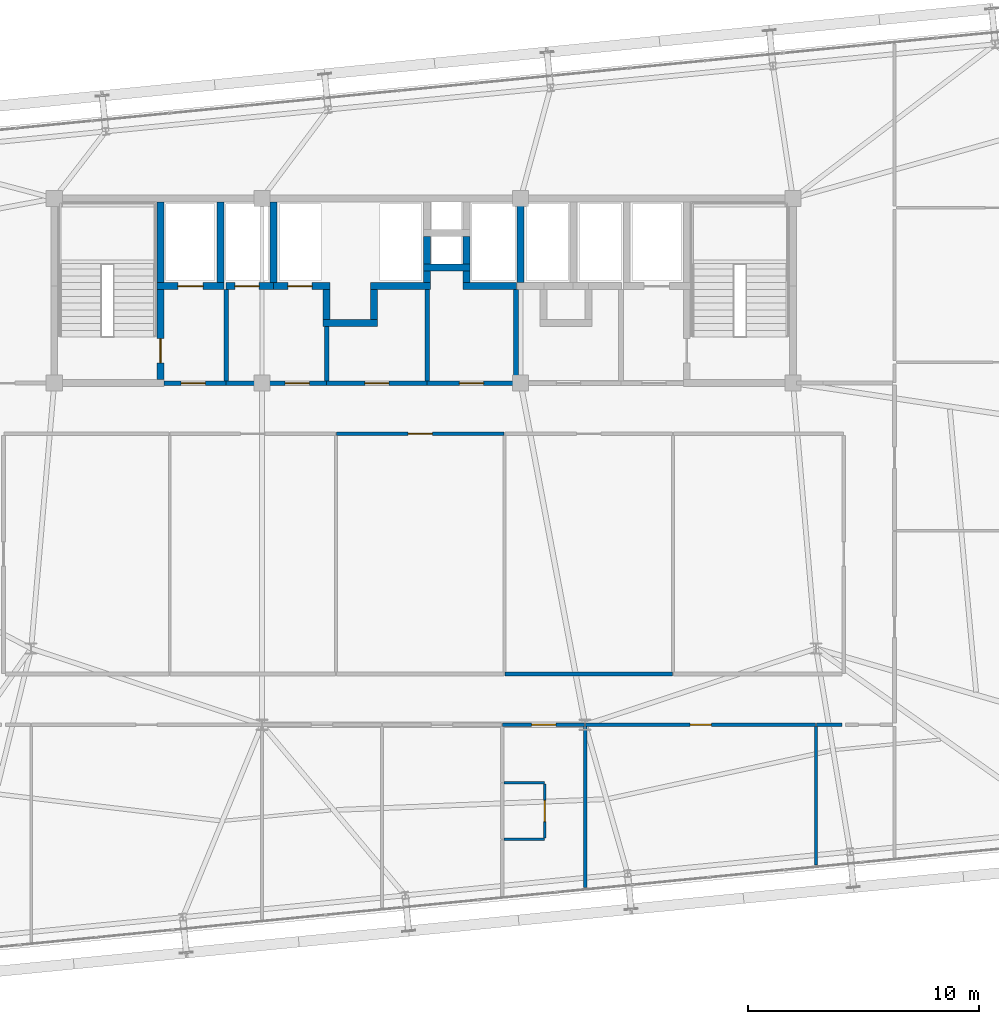
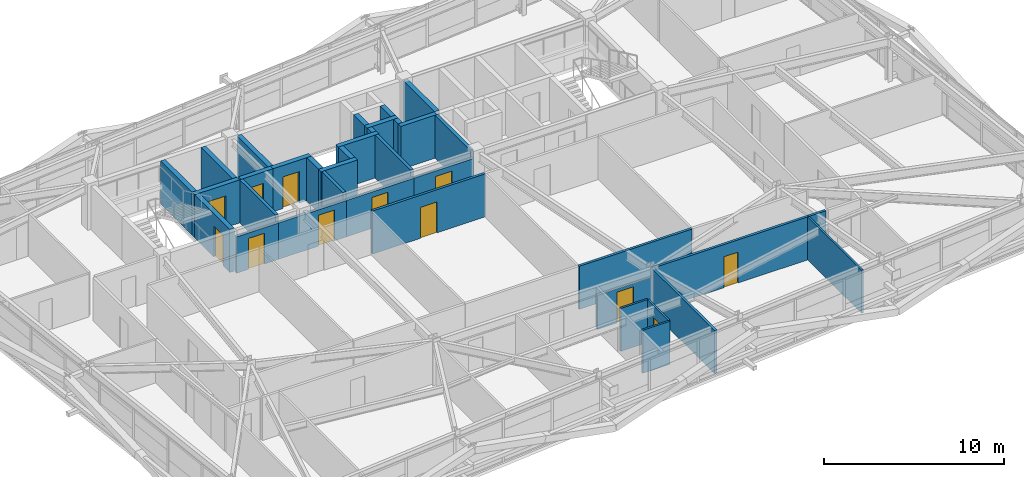
# One storey, part 47 of 52: 36 walls, 12 doors, 12 openings.
"""IFC4 building model written with IfcOpenShell, lengths in metres."""

from ifc_helpers import new_model, si_unit, direction, frame, frame_2d, origin, place, context, subcontext, project, spatial, rectangle, extrude, source, transform, mapped, material, layer, layer_set, type_object, element, fill, save


model = new_model("IFC4")

# Units and contexts
model_context = context("Model", 3, precision=1e-05, world=origin(), true_north=direction((0.0, 1.0)))
body_context = subcontext(model_context, "Body", "Model", "MODEL_VIEW")
ifc_project = project(units=[si_unit("LENGTHUNIT", "METRE"), si_unit("AREAUNIT", "SQUARE_METRE"), si_unit("VOLUMEUNIT", "CUBIC_METRE"), si_unit("PLANEANGLEUNIT", "RADIAN"), si_unit("MASSUNIT", "GRAM", prefix="KILO")], contexts=[model_context])

# Site, building, storey
site_placement = place(None, origin())
site = spatial("IfcSite", under=ifc_project, at=site_placement, CompositionType="ELEMENT")
building_placement = place(site_placement, origin())
building = spatial("IfcBuilding", under=site, at=building_placement, Name="Taldren Reach Tower", CompositionType="ELEMENT")
storey_placement = place(building_placement, frame((0.0, 0.0, 93.449951171875)))
storey = spatial("IfcBuildingStorey", under=building, at=storey_placement, Name="L28", CompositionType="ELEMENT", Elevation=93.449951171875)

# Wall, opening, door
ifc_material_1 = material(Name="Concrete S50 (50 MPa)", Category="concrete")
ifc_layer_1 = layer(ifc_material_1, 0.199951171875)
ifc_layer_set_1 = layer_set([ifc_layer_1], Name="Concrete S50 (50 MPa)")
wall_type_1 = type_object("IfcWallType", Name="IW-CORE-200", PredefinedType="SOLIDWALL", material=ifc_layer_set_1)
shared_shape_1 = source(origin(), body_context, "Body", "SweptSolid", [
    extrude(rectangle(XDim=4.35009765625, YDim=0.199951171875, at=frame_2d((2.175048828125, 0.0))), origin(), (0.0, 0.0, 1.0), 2.469970703125),
])
wall_1_placement = place(storey_placement, frame((30.800048828125, 24.0, 0.0), z_axis=(0.0, 0.0, 1.0), x_axis=(-1.0, 0.0, 0.0)))
wall_1 = element("IfcWall", 1, at=wall_1_placement, inside=storey, type_object=wall_type_1, Name="Rear Core Shear Wall W-INT-L28-033", PredefinedType="SOLIDWALL", context=body_context, shape_type="MappedRepresentation", body=[
    mapped(shared_shape_1, transform((0.0, 0.0, 0.0), scale=1.0)),
])
shared_shape_2 = source(origin(), body_context, "Body", "SweptSolid", [
    extrude(rectangle(XDim=1.050048828125, YDim=2.10009765625, at=frame_2d((0.52490234375, 1.050048828125))), frame((0.0, 0.10986328125, 0.0), z_axis=(0.0, -1.0, 0.0), x_axis=(1.0, 0.0, 0.0)), (0.0, 0.0, 1.0), 0.219970703125),
])
opening_1_placement = place(wall_1_placement, frame((0.75, 0.0, 0.0)))
opening_1 = element("IfcOpeningElement", 2, at=opening_1_placement, cuts=wall_1, Name="Opening DF-105", PredefinedType="OPENING", context=body_context, shape_type="MappedRepresentation", body=[
    mapped(shared_shape_2, transform((0.0, 0.0, 0.0), scale=1.0)),
])
ifc_material_2 = material(Name="Fire-Rated Care and Stair Exit Door")
door_type_1 = type_object("IfcDoorType", Name="ID-FIRE-105", OperationType="NOTDEFINED", PredefinedType="DOOR", material=ifc_material_2)
shared_shape_3 = source(origin(), body_context, "Body", "SweptSolid", [
    extrude(rectangle(XDim=1.050048828125, YDim=2.10009765625, at=frame_2d((0.52490234375, 1.050048828125))), frame((0.0, 0.02490234375, 0.0), z_axis=(0.0, -1.0, 0.0), x_axis=(1.0, 0.0, 0.0)), (0.0, 0.0, 1.0), 0.050048828125),
])
door_1_placement = place(opening_1_placement, frame((1.050048828125, 0.0, 0.0), z_axis=(0.0, 0.0, 1.0), x_axis=(-1.0, 0.0, 0.0)))
door_1 = element("IfcDoor", 3, at=door_1_placement, inside=storey, type_object=door_type_1, Name="Interior Door DR-L28-005", OperationType="SINGLE_SWING_RIGHT", OverallHeight=2.10009765625, OverallWidth=1.050048828125, PredefinedType="DOOR", context=body_context, shape_type="MappedRepresentation", body=[
    mapped(shared_shape_3, transform((0.0, 0.0, 0.0), scale=1.0)),
])
fill(opening_1, door_1)

shared_shape_4 = source(origin(), body_context, "Body", "SweptSolid", [
    extrude(rectangle(XDim=4.349853515625, YDim=0.199951171875, at=frame_2d((2.1748046875, 0.0))), origin(), (0.0, 0.0, 1.0), 2.469970703125),
])
wall_2_placement = place(storey_placement, frame((35.14990234375, 24.0, 0.0), z_axis=(0.0, 0.0, 1.0), x_axis=(-1.0, 0.0, 0.0)))
wall_2 = element("IfcWall", 4, at=wall_2_placement, inside=storey, type_object=wall_type_1, Name="Rear Core Shear Wall W-INT-L28-043", PredefinedType="SOLIDWALL", context=body_context, shape_type="MappedRepresentation", body=[
    mapped(shared_shape_4, transform((0.0, 0.0, 0.0), scale=1.0)),
])
opening_2_placement = place(wall_2_placement, frame((1.64990234375, 0.0, 0.0)))
opening_2 = element("IfcOpeningElement", 5, at=opening_2_placement, cuts=wall_2, Name="Opening DF-105", PredefinedType="OPENING", context=body_context, shape_type="MappedRepresentation", body=[
    mapped(shared_shape_2, transform((0.0, 0.0, 0.0), scale=1.0)),
])
door_2_placement = place(opening_2_placement, frame((1.050048828125, 0.0, 0.0), z_axis=(0.0, 0.0, 1.0), x_axis=(-1.0, 0.0, 0.0)))
door_2 = element("IfcDoor", 6, at=door_2_placement, inside=storey, type_object=door_type_1, Name="Interior Door DR-L28-006", OperationType="SINGLE_SWING_RIGHT", OverallHeight=2.10009765625, OverallWidth=1.050048828125, PredefinedType="DOOR", context=body_context, shape_type="MappedRepresentation", body=[
    mapped(shared_shape_3, transform((0.0, 0.0, 0.0), scale=1.0)),
])
fill(opening_2, door_2)

shared_shape_5 = source(origin(), body_context, "Body", "SweptSolid", [
    extrude(rectangle(XDim=3.85009765625, YDim=0.199951171875, at=frame_2d((1.925048828125, 0.0))), origin(), (0.0, 0.0, 1.0), 2.469970703125),
])
wall_3_placement = place(storey_placement, frame((39.0, 24.0, 0.0), z_axis=(0.0, 0.0, 1.0), x_axis=(-1.0, 0.0, 0.0)))
wall_3 = element("IfcWall", 7, at=wall_3_placement, inside=storey, type_object=wall_type_1, Name="Rear Core Shear Wall W-INT-L28-045", PredefinedType="SOLIDWALL", context=body_context, shape_type="MappedRepresentation", body=[
    mapped(shared_shape_5, transform((0.0, 0.0, 0.0), scale=1.0)),
])
opening_3_placement = place(wall_3_placement, frame((1.39990234375, 0.0, 0.0)))
opening_3 = element("IfcOpeningElement", 8, at=opening_3_placement, cuts=wall_3, Name="Opening DF-105", PredefinedType="OPENING", context=body_context, shape_type="MappedRepresentation", body=[
    mapped(shared_shape_2, transform((0.0, 0.0, 0.0), scale=1.0)),
])
door_3_placement = place(opening_3_placement, frame((1.050048828125, 0.0, 0.0), z_axis=(0.0, 0.0, 1.0), x_axis=(-1.0, 0.0, 0.0)))
door_3 = element("IfcDoor", 9, at=door_3_placement, inside=storey, type_object=door_type_1, Name="Interior Door DR-L28-007", OperationType="SINGLE_SWING_LEFT", OverallHeight=2.10009765625, OverallWidth=1.050048828125, PredefinedType="DOOR", context=body_context, shape_type="MappedRepresentation", body=[
    mapped(shared_shape_3, transform((0.0, 0.0, 0.0), scale=1.0)),
])
fill(opening_3, door_3)

# Wall
ifc_material_3 = material(Name="Fire-Rated Acoustic Plasterboard Stud Wall", Category="gypsum")
ifc_layer_2 = layer(ifc_material_3, 0.159912109375)
ifc_layer_set_2 = layer_set([ifc_layer_2], Name="Fire-Rated Acoustic Plasterboard Stud Wall")
wall_type_2 = type_object("IfcWallType", Name="IW-FIRE-160", PredefinedType="PARTITIONING", material=ifc_layer_set_2)
shared_shape_6 = source(origin(), body_context, "Body", "SweptSolid", [
    extrude(rectangle(XDim=1.099853515625, YDim=0.159912109375, at=frame_2d((0.5498046875, 0.0))), origin(), (0.0, 0.0, 1.0), 2.929931640625),
])
wall_4_placement = place(storey_placement, frame((53.1201171875, 9.199951171875, 0.0), z_axis=(0.0, 0.0, 1.0), x_axis=(-1.0, 0.0, 0.0)))
element("IfcWall", 10, at=wall_4_placement, inside=storey, type_object=wall_type_2, Name="Interior Partition Wall W-INT-L28-073", PredefinedType="PARTITIONING", context=body_context, shape_type="MappedRepresentation", body=[
    mapped(shared_shape_6, transform((0.0, 0.0, 0.0), scale=1.0)),
])

# Wall, opening, door
ifc_material_4 = material(Name="Insulated Residential Stud Partition", Category="gypsum")
ifc_layer_3 = layer(ifc_material_4, 0.1201171875)
ifc_layer_set_3 = layer_set([ifc_layer_3], Name="Insulated Residential Stud Partition")
wall_type_3 = type_object("IfcWallType", Name="IW-PART-120", PredefinedType="PARTITIONING", material=ifc_layer_set_3)
shared_shape_7 = source(origin(), body_context, "Body", "SweptSolid", [
    extrude(rectangle(XDim=2.330078125, YDim=0.1201171875, at=frame_2d((1.1650390625, 0.0))), origin(), (0.0, 0.0, 1.0), 2.929931640625),
])
wall_5_placement = place(storey_placement, frame((40.25, 4.29833984375, 0.0), z_axis=(0.0, 0.0, 1.0), x_axis=(0.0, 1.0, 0.0)))
wall_5 = element("IfcWall", 11, at=wall_5_placement, inside=storey, type_object=wall_type_3, Name="Interior Partition Wall W-INT-L28-085", PredefinedType="PARTITIONING", context=body_context, shape_type="MappedRepresentation", body=[
    mapped(shared_shape_7, transform((0.0, 0.0, 0.0), scale=1.0)),
])
shared_shape_8 = source(origin(), body_context, "Body", "SweptSolid", [
    extrude(rectangle(XDim=0.919921875, YDim=2.10009765625, at=frame_2d((0.4599609375, 1.050048828125))), frame((0.0, 0.070068359375, 0.0), z_axis=(0.0, -1.0, 0.0), x_axis=(1.0, 0.0, 0.0)), (0.0, 0.0, 1.0), 0.14013671875),
])
opening_4_placement = place(wall_5_placement, frame((0.705078125, 0.0, 0.0)))
opening_4 = element("IfcOpeningElement", 12, at=opening_4_placement, cuts=wall_5, Name="Opening DI-092", PredefinedType="OPENING", context=body_context, shape_type="MappedRepresentation", body=[
    mapped(shared_shape_8, transform((0.0, 0.0, 0.0), scale=1.0)),
])
ifc_material_5 = material(Name="Solid-Core Timber Suite Door", Category="wood")
door_type_2 = type_object("IfcDoorType", Name="ID-INT-092", OperationType="NOTDEFINED", PredefinedType="DOOR", material=ifc_material_5)
shared_shape_9 = source(origin(), body_context, "Body", "SweptSolid", [
    extrude(rectangle(XDim=0.919921875, YDim=2.10009765625, at=frame_2d((0.4599609375, 1.050048828125))), frame((0.0, 0.02490234375, 0.0), z_axis=(0.0, -1.0, 0.0), x_axis=(1.0, 0.0, 0.0)), (0.0, 0.0, 1.0), 0.050048828125),
])
door_4_placement = place(opening_4_placement, origin())
door_4 = element("IfcDoor", 13, at=door_4_placement, inside=storey, type_object=door_type_2, Name="Interior Door DR-L28-026", OperationType="SINGLE_SWING_LEFT", OverallHeight=2.10009765625, OverallWidth=0.919921875, PredefinedType="DOOR", context=body_context, shape_type="MappedRepresentation", body=[
    mapped(shared_shape_9, transform((0.0, 0.0, 0.0), scale=1.0)),
])
fill(opening_4, door_4)

# Walls
shared_shape_10 = source(origin(), body_context, "Body", "SweptSolid", [
    extrude(rectangle(XDim=1.749755859375, YDim=0.1201171875, at=frame_2d((0.875, 0.0))), origin(), (0.0, 0.0, 1.0), 2.929931640625),
])
for number, where, z_axis, x_axis, name in (
    (14, (38.47998046875, 4.23828125, 0.0), (0.0, 0.0, 1.0), (1.0, 0.0, 0.0), "Interior Partition Wall W-INT-L28-086"),
    (15, (40.229736328125, 6.6884765625, 0.0), (0.0, 0.0, 1.0), (-1.0, 0.0, 0.0), "Interior Partition Wall W-INT-L28-087"),
):
    element("IfcWall", number, at=place(storey_placement, frame(where, z_axis=z_axis, x_axis=x_axis)), inside=storey, type_object=wall_type_3, Name=name, PredefinedType="PARTITIONING", context=body_context, shape_type="MappedRepresentation", body=[
        mapped(shared_shape_10, transform((0.0, 0.0, 0.0), scale=1.0)),
    ])

# Wall, opening, door
shared_shape_11 = source(origin(), body_context, "Body", "SweptSolid", [
    extrude(rectangle(XDim=9.95947265625, YDim=0.159912109375, at=frame_2d((4.979736328125, 0.0))), origin(), (0.0, 0.0, 1.0), 2.929931640625),
])
wall_6_placement = place(storey_placement, frame((51.979736328125, 9.199951171875, 0.0), z_axis=(0.0, 0.0, 1.0), x_axis=(-1.0, 0.0, 0.0)))
wall_6 = element("IfcWall", 16, at=wall_6_placement, inside=storey, type_object=wall_type_2, Name="Interior Partition Wall W-INT-L28-072", PredefinedType="PARTITIONING", context=body_context, shape_type="MappedRepresentation", body=[
    mapped(shared_shape_11, transform((0.0, 0.0, 0.0), scale=1.0)),
])
shared_shape_12 = source(origin(), body_context, "Body", "SweptSolid", [
    extrude(rectangle(XDim=0.919921875, YDim=2.10009765625, at=frame_2d((0.4599609375, 1.050048828125))), frame((0.0, 0.08984375, 0.0), z_axis=(0.0, -1.0, 0.0), x_axis=(1.0, 0.0, 0.0)), (0.0, 0.0, 1.0), 0.179931640625),
])
opening_5_placement = place(wall_6_placement, frame((4.519775390625, 0.0, 0.0)))
opening_5 = element("IfcOpeningElement", 17, at=opening_5_placement, cuts=wall_6, Name="Opening DI-092", PredefinedType="OPENING", context=body_context, shape_type="MappedRepresentation", body=[
    mapped(shared_shape_12, transform((0.0, 0.0, 0.0), scale=1.0)),
])
door_5_placement = place(opening_5_placement, origin())
door_5 = element("IfcDoor", 18, at=door_5_placement, inside=storey, type_object=door_type_2, Name="Interior Door DR-L28-025", OperationType="SINGLE_SWING_RIGHT", OverallHeight=2.10009765625, OverallWidth=0.919921875, PredefinedType="DOOR", context=body_context, shape_type="MappedRepresentation", body=[
    mapped(shared_shape_9, transform((0.0, 0.0, 0.0), scale=1.0)),
])
fill(opening_5, door_5)

shared_shape_13 = source(origin(), body_context, "Body", "SweptSolid", [
    extrude(rectangle(XDim=7.259521484375, YDim=0.159912109375, at=frame_2d((3.6298828125, 0.0))), origin(), (0.0, 0.0, 1.0), 2.929931640625),
])
wall_7_placement = place(storey_placement, frame((38.479736328125, 21.800048828125, 0.0), z_axis=(0.0, 0.0, 1.0), x_axis=(-1.0, 0.0, 0.0)))
wall_7 = element("IfcWall", 19, at=wall_7_placement, inside=storey, type_object=wall_type_2, Name="Interior Partition Wall W-INT-L28-050", PredefinedType="PARTITIONING", context=body_context, shape_type="MappedRepresentation", body=[
    mapped(shared_shape_13, transform((0.0, 0.0, 0.0), scale=1.0)),
])
shared_shape_14 = source(origin(), body_context, "Body", "SweptSolid", [
    extrude(rectangle(XDim=1.050048828125, YDim=2.10009765625, at=frame_2d((0.52490234375, 1.050048828125))), frame((0.0, 0.08984375, 0.0), z_axis=(0.0, -1.0, 0.0), x_axis=(1.0, 0.0, 0.0)), (0.0, 0.0, 1.0), 0.179931640625),
])
opening_6_placement = place(wall_7_placement, frame((3.104736328125, 0.0, 0.0)))
opening_6 = element("IfcOpeningElement", 20, at=opening_6_placement, cuts=wall_7, Name="Opening DF-105", PredefinedType="OPENING", context=body_context, shape_type="MappedRepresentation", body=[
    mapped(shared_shape_14, transform((0.0, 0.0, 0.0), scale=1.0)),
])
door_6_placement = place(opening_6_placement, origin())
door_6 = element("IfcDoor", 21, at=door_6_placement, inside=storey, type_object=door_type_1, Name="Interior Door DR-L28-011", OperationType="SINGLE_SWING_RIGHT", OverallHeight=2.10009765625, OverallWidth=1.050048828125, PredefinedType="DOOR", context=body_context, shape_type="MappedRepresentation", body=[
    mapped(shared_shape_3, transform((0.0, 0.0, 0.0), scale=1.0)),
])
fill(opening_6, door_6)

# Walls
wall_8_placement = place(storey_placement, frame((38.520263671875, 11.39990234375, 0.0), z_axis=(0.0, 0.0, 1.0), x_axis=(1.0, 0.0, 0.0)))
element("IfcWall", 22, at=wall_8_placement, inside=storey, type_object=wall_type_2, Name="Interior Partition Wall W-INT-L28-065", PredefinedType="PARTITIONING", context=body_context, shape_type="MappedRepresentation", body=[
    mapped(shared_shape_13, transform((0.0, 0.0, 0.0), scale=1.0)),
])
ifc_material_6 = material(Name="Concrete S65 (65 MPa)", Category="concrete")
ifc_layer_4 = layer(ifc_material_6, 0.300048828125)
ifc_layer_set_4 = layer_set([ifc_layer_4], Name="Concrete S65 (65 MPa)")
wall_type_4 = type_object("IfcWallType", Name="IW-CORE-300", PredefinedType="SHEAR", material=ifc_layer_set_4)
shared_shape_15 = source(origin(), body_context, "Body", "SweptSolid", [
    extrude(rectangle(XDim=3.5, YDim=0.300048828125, at=frame_2d((1.75, 0.0))), origin(), (0.0, 0.0, 1.0), 2.929931640625),
])
for number, where, z_axis, x_axis, name in (
    (23, (23.60009765625, 28.35009765625, 0.0), (0.0, 0.0, 1.0), (0.0, 1.0, 0.0), "Rear Core Shear Wall W-INT-L28-001"),
    (24, (26.199951171875, 28.35009765625, 0.0), (0.0, 0.0, 1.0), (0.0, 1.0, 0.0), "Rear Core Shear Wall W-INT-L28-005"),
    (25, (28.5, 28.35009765625, 0.0), (0.0, 0.0, 1.0), (0.0, 1.0, 0.0), "Rear Core Shear Wall W-INT-L28-029"),
    (26, (39.199951171875, 28.35009765625, 0.0), (0.0, 0.0, 1.0), (0.0, 1.0, 0.0), "Rear Core Shear Wall W-INT-L28-036"),
):
    element("IfcWall", number, at=place(storey_placement, frame(where, z_axis=z_axis, x_axis=x_axis)), inside=storey, type_object=wall_type_4, Name=name, PredefinedType="SHEAR", context=body_context, shape_type="MappedRepresentation", body=[
        mapped(shared_shape_15, transform((0.0, 0.0, 0.0), scale=1.0)),
    ])

# Wall, opening, door
shared_shape_16 = source(origin(), body_context, "Body", "SweptSolid", [
    extrude(rectangle(XDim=3.900146484375, YDim=0.300048828125, at=frame_2d((1.9501953125, 0.0))), origin(), (0.0, 0.0, 1.0), 2.929931640625),
])
wall_9_placement = place(storey_placement, frame((23.60009765625, 24.14990234375, 0.0), z_axis=(0.0, 0.0, 1.0), x_axis=(0.0, 1.0, 0.0)))
wall_9 = element("IfcWall", 27, at=wall_9_placement, inside=storey, type_object=wall_type_4, Name="Rear Core Shear Wall W-INT-L28-002", PredefinedType="SHEAR", context=body_context, shape_type="MappedRepresentation", body=[
    mapped(shared_shape_16, transform((0.0, 0.0, 0.0), scale=1.0)),
])
shared_shape_17 = source(origin(), body_context, "Body", "SweptSolid", [
    extrude(rectangle(XDim=1.050048828125, YDim=2.10009765625, at=frame_2d((0.52490234375, 1.050048828125))), frame((0.0, 0.16015625, 0.0), z_axis=(0.0, -1.0, 0.0), x_axis=(1.0, 0.0, 0.0)), (0.0, 0.0, 1.0), 0.320068359375),
])
opening_7_placement = place(wall_9_placement, frame((0.72509765625, 0.0, 0.0)))
opening_7 = element("IfcOpeningElement", 28, at=opening_7_placement, cuts=wall_9, Name="Opening DF-105", PredefinedType="OPENING", context=body_context, shape_type="MappedRepresentation", body=[
    mapped(shared_shape_17, transform((0.0, 0.0, 0.0), scale=1.0)),
])
door_7_placement = place(opening_7_placement, origin())
door_7 = element("IfcDoor", 29, at=door_7_placement, inside=storey, type_object=door_type_1, Name="Fire Exit Stair Door DR-L28-001", OperationType="SINGLE_SWING_LEFT", OverallHeight=2.10009765625, OverallWidth=1.050048828125, PredefinedType="DOOR", context=body_context, shape_type="MappedRepresentation", body=[
    mapped(shared_shape_3, transform((0.0, 0.0, 0.0), scale=1.0)),
])
fill(opening_7, door_7)

shared_shape_18 = source(origin(), body_context, "Body", "SweptSolid", [
    extrude(rectangle(XDim=2.900146484375, YDim=0.300048828125, at=frame_2d((1.4501953125, 0.0))), origin(), (0.0, 0.0, 1.0), 2.929931640625),
])
wall_10_placement = place(storey_placement, frame((23.449951171875, 28.199951171875, 0.0), z_axis=(0.0, 0.0, 1.0), x_axis=(1.0, 0.0, 0.0)))
wall_10 = element("IfcWall", 30, at=wall_10_placement, inside=storey, type_object=wall_type_4, Name="Rear Core Shear Wall W-INT-L28-004", PredefinedType="SHEAR", context=body_context, shape_type="MappedRepresentation", body=[
    mapped(shared_shape_18, transform((0.0, 0.0, 0.0), scale=1.0)),
])
shared_shape_19 = source(origin(), body_context, "Body", "SweptSolid", [
    extrude(rectangle(XDim=1.10009765625, YDim=2.14990234375, at=frame_2d((0.550048828125, 1.074951171875))), frame((0.0, 0.16015625, 0.0), z_axis=(0.0, -1.0, 0.0), x_axis=(1.0, 0.0, 0.0)), (0.0, 0.0, 1.0), 0.320068359375),
])
opening_8_placement = place(wall_10_placement, frame((0.89990234375, 0.0, 0.0)))
opening_8 = element("IfcOpeningElement", 31, at=opening_8_placement, cuts=wall_10, Name="Opening LD-FL1", PredefinedType="OPENING", context=body_context, shape_type="MappedRepresentation", body=[
    mapped(shared_shape_19, transform((0.0, 0.0, 0.0), scale=1.0)),
])
ifc_material_7 = material(Name="Stainless Steel Gr 316 Emergency Lift Landing Door", Category="steel")
door_type_3 = type_object("IfcDoorType", Name="LD-EMG-110", OperationType="SLIDING_TO_LEFT", PredefinedType="DOOR", material=ifc_material_7)
shared_shape_20 = source(origin(), body_context, "Body", "SweptSolid", [
    extrude(rectangle(XDim=1.10009765625, YDim=2.14990234375, at=frame_2d((0.550048828125, 1.074951171875))), frame((0.0, 0.02490234375, 0.0), z_axis=(0.0, -1.0, 0.0), x_axis=(1.0, 0.0, 0.0)), (0.0, 0.0, 1.0), 0.050048828125),
])
door_8_placement = place(opening_8_placement, origin())
door_8 = element("IfcDoor", 32, at=door_8_placement, inside=storey, type_object=door_type_3, Name="Lift Landing Door LD-FL1-L28", OperationType="SLIDING_TO_LEFT", OverallHeight=2.14990234375, OverallWidth=1.10009765625, PredefinedType="DOOR", context=body_context, shape_type="MappedRepresentation", body=[
    mapped(shared_shape_20, transform((0.0, 0.0, 0.0), scale=1.0)),
])
fill(opening_8, door_8)

# Walls
shared_shape_21 = source(origin(), body_context, "Body", "SweptSolid", [
    extrude(rectangle(XDim=3.949951171875, YDim=0.199951171875, at=frame_2d((1.97509765625, 0.0))), origin(), (0.0, 0.0, 1.0), 2.929931640625),
])
for number, where, z_axis, x_axis, name in (
    (33, (26.449951171875, 24.10009765625, 0.0), (0.0, 0.0, 1.0), (0.0, 1.0, 0.0), "Rear Core Shear Wall W-INT-L28-006"),
    (34, (35.14990234375, 28.050048828125, 0.0), (0.0, 0.0, 1.0), (0.0, -1.0, 0.0), "Rear Core Shear Wall W-INT-L28-042"),
    (35, (39.0, 28.050048828125, 0.0), (0.0, 0.0, 1.0), (0.0, -1.0, 0.0), "Rear Core Shear Wall W-INT-L28-044"),
):
    element("IfcWall", number, at=place(storey_placement, frame(where, z_axis=z_axis, x_axis=x_axis)), inside=storey, type_object=wall_type_1, Name=name, PredefinedType="SOLIDWALL", context=body_context, shape_type="MappedRepresentation", body=[
        mapped(shared_shape_21, transform((0.0, 0.0, 0.0), scale=1.0)),
    ])

# Wall, opening, door
shared_shape_22 = source(origin(), body_context, "Body", "SweptSolid", [
    extrude(rectangle(XDim=2.699951171875, YDim=0.199951171875, at=frame_2d((1.35009765625, 0.0))), origin(), (0.0, 0.0, 1.0), 2.469970703125),
])
wall_11_placement = place(storey_placement, frame((23.75, 24.0, 0.0), z_axis=(0.0, 0.0, 1.0), x_axis=(1.0, 0.0, 0.0)))
wall_11 = element("IfcWall", 36, at=wall_11_placement, inside=storey, type_object=wall_type_1, Name="Rear Core Shear Wall W-INT-L28-007", PredefinedType="SOLIDWALL", context=body_context, shape_type="MappedRepresentation", body=[
    mapped(shared_shape_22, transform((0.0, 0.0, 0.0), scale=1.0)),
])
opening_9_placement = place(wall_11_placement, frame((0.75, 0.0, 0.0)))
opening_9 = element("IfcOpeningElement", 37, at=opening_9_placement, cuts=wall_11, Name="Opening DF-105", PredefinedType="OPENING", context=body_context, shape_type="MappedRepresentation", body=[
    mapped(shared_shape_2, transform((0.0, 0.0, 0.0), scale=1.0)),
])
door_9_placement = place(opening_9_placement, origin())
door_9 = element("IfcDoor", 38, at=door_9_placement, inside=storey, type_object=door_type_1, Name="Interior Door DR-L28-002", OperationType="SINGLE_SWING_LEFT", OverallHeight=2.10009765625, OverallWidth=1.050048828125, PredefinedType="DOOR", context=body_context, shape_type="MappedRepresentation", body=[
    mapped(shared_shape_3, transform((0.0, 0.0, 0.0), scale=1.0)),
])
fill(opening_9, door_9)

# Walls
shared_shape_23 = source(origin(), body_context, "Body", "SweptSolid", [
    extrude(rectangle(XDim=2.0, YDim=0.300048828125, at=frame_2d((1.0, 0.0))), origin(), (0.0, 0.0, 1.0), 2.929931640625),
])
wall_12_placement = place(storey_placement, frame((35.0, 29.0, 0.0), z_axis=(0.0, 0.0, 1.0), x_axis=(1.0, 0.0, 0.0)))
element("IfcWall", 39, at=wall_12_placement, inside=storey, type_object=wall_type_4, Name="Rear Core Shear Wall W-INT-L28-020", PredefinedType="SHEAR", context=body_context, shape_type="MappedRepresentation", body=[
    mapped(shared_shape_23, transform((0.0, 0.0, 0.0), scale=1.0)),
])
shared_shape_24 = source(origin(), body_context, "Body", "SweptSolid", [
    extrude(rectangle(XDim=1.2001953125, YDim=0.300048828125, at=frame_2d((0.60009765625, 0.0))), origin(), (0.0, 0.0, 1.0), 2.929931640625),
])
for number, where, z_axis, x_axis, name in (
    (40, (35.14990234375, 30.35009765625, 0.0), (0.0, 0.0, 1.0), (0.0, -1.0, 0.0), "Rear Core Shear Wall W-INT-L28-018"),
    (41, (36.85009765625, 29.14990234375, 0.0), (0.0, 0.0, 1.0), (0.0, 1.0, 0.0), "Rear Core Shear Wall W-INT-L28-019"),
):
    element("IfcWall", number, at=place(storey_placement, frame(where, z_axis=z_axis, x_axis=x_axis)), inside=storey, type_object=wall_type_4, Name=name, PredefinedType="SHEAR", context=body_context, shape_type="MappedRepresentation", body=[
        mapped(shared_shape_24, transform((0.0, 0.0, 0.0), scale=1.0)),
    ])
shared_shape_25 = source(origin(), body_context, "Body", "SweptSolid", [
    extrude(rectangle(XDim=1.300048828125, YDim=0.300048828125, at=frame_2d((0.64990234375, 0.0))), origin(), (0.0, 0.0, 1.0), 2.929931640625),
])
for number, where, z_axis, x_axis, name in (
    (42, (30.800048828125, 28.050048828125, 0.0), (0.0, 0.0, 1.0), (0.0, -1.0, 0.0), "Rear Core Shear Wall W-INT-L28-021"),
    (43, (32.85009765625, 26.75, 0.0), (0.0, 0.0, 1.0), (0.0, 1.0, 0.0), "Rear Core Shear Wall W-INT-L28-023"),
):
    element("IfcWall", number, at=place(storey_placement, frame(where, z_axis=z_axis, x_axis=x_axis)), inside=storey, type_object=wall_type_4, Name=name, PredefinedType="SHEAR", context=body_context, shape_type="MappedRepresentation", body=[
        mapped(shared_shape_25, transform((0.0, 0.0, 0.0), scale=1.0)),
    ])

# Wall, opening, door
shared_shape_26 = source(origin(), body_context, "Body", "SweptSolid", [
    extrude(rectangle(XDim=2.070068359375, YDim=0.300048828125, at=frame_2d((1.03515625, 0.0))), origin(), (0.0, 0.0, 1.0), 2.929931640625),
])
wall_13_placement = place(storey_placement, frame((26.429931640625, 28.199951171875, 0.0), z_axis=(0.0, 0.0, 1.0), x_axis=(1.0, 0.0, 0.0)))
wall_13 = element("IfcWall", 44, at=wall_13_placement, inside=storey, type_object=wall_type_4, Name="Rear Core Shear Wall W-INT-L28-030", PredefinedType="SHEAR", context=body_context, shape_type="MappedRepresentation", body=[
    mapped(shared_shape_26, transform((0.0, 0.0, 0.0), scale=1.0)),
])
shared_shape_27 = source(origin(), body_context, "Body", "SweptSolid", [
    extrude(rectangle(XDim=1.050048828125, YDim=2.14990234375, at=frame_2d((0.52490234375, 1.074951171875))), frame((0.0, 0.16015625, 0.0), z_axis=(0.0, -1.0, 0.0), x_axis=(1.0, 0.0, 0.0)), (0.0, 0.0, 1.0), 0.320068359375),
])
opening_10_placement = place(wall_13_placement, frame((0.39501953125, 0.0, 0.0)))
opening_10 = element("IfcOpeningElement", 45, at=opening_10_placement, cuts=wall_13, Name="Opening LD-PL1", PredefinedType="OPENING", context=body_context, shape_type="MappedRepresentation", body=[
    mapped(shared_shape_27, transform((0.0, 0.0, 0.0), scale=1.0)),
])
ifc_material_8 = material(Name="Stainless Steel Gr 316 Passenger Lift Landing Door", Category="steel")
door_type_4 = type_object("IfcDoorType", Name="LD-PAS-105", OperationType="SLIDING_TO_LEFT", PredefinedType="DOOR", material=ifc_material_8)
shared_shape_28 = source(origin(), body_context, "Body", "SweptSolid", [
    extrude(rectangle(XDim=1.050048828125, YDim=2.14990234375, at=frame_2d((0.52490234375, 1.074951171875))), frame((0.0, 0.02490234375, 0.0), z_axis=(0.0, -1.0, 0.0), x_axis=(1.0, 0.0, 0.0)), (0.0, 0.0, 1.0), 0.050048828125),
])
door_10_placement = place(opening_10_placement, origin())
door_10 = element("IfcDoor", 46, at=door_10_placement, inside=storey, type_object=door_type_4, Name="Lift Landing Door LD-PL1-L28", OperationType="SLIDING_TO_LEFT", OverallHeight=2.14990234375, OverallWidth=1.050048828125, PredefinedType="DOOR", context=body_context, shape_type="MappedRepresentation", body=[
    mapped(shared_shape_28, transform((0.0, 0.0, 0.0), scale=1.0)),
])
fill(opening_10, door_10)

shared_shape_29 = source(origin(), body_context, "Body", "SweptSolid", [
    extrude(rectangle(XDim=2.449951171875, YDim=0.300048828125, at=frame_2d((1.22509765625, 0.0))), origin(), (0.0, 0.0, 1.0), 2.929931640625),
])
wall_14_placement = place(storey_placement, frame((28.5, 28.199951171875, 0.0), z_axis=(0.0, 0.0, 1.0), x_axis=(1.0, 0.0, 0.0)))
wall_14 = element("IfcWall", 47, at=wall_14_placement, inside=storey, type_object=wall_type_4, Name="Rear Core Shear Wall W-INT-L28-031", PredefinedType="SHEAR", context=body_context, shape_type="MappedRepresentation", body=[
    mapped(shared_shape_29, transform((0.0, 0.0, 0.0), scale=1.0)),
])
opening_11_placement = place(wall_14_placement, frame((0.625, 0.0, 0.0)))
opening_11 = element("IfcOpeningElement", 48, at=opening_11_placement, cuts=wall_14, Name="Opening LD-PL2", PredefinedType="OPENING", context=body_context, shape_type="MappedRepresentation", body=[
    mapped(shared_shape_27, transform((0.0, 0.0, 0.0), scale=1.0)),
])
door_11_placement = place(opening_11_placement, origin())
door_11 = element("IfcDoor", 49, at=door_11_placement, inside=storey, type_object=door_type_4, Name="Lift Landing Door LD-PL2-L28", OperationType="SLIDING_TO_LEFT", OverallHeight=2.14990234375, OverallWidth=1.050048828125, PredefinedType="DOOR", context=body_context, shape_type="MappedRepresentation", body=[
    mapped(shared_shape_28, transform((0.0, 0.0, 0.0), scale=1.0)),
])
fill(opening_11, door_11)

# Walls
shared_shape_30 = source(origin(), body_context, "Body", "SweptSolid", [
    extrude(rectangle(XDim=2.349853515625, YDim=0.199951171875, at=frame_2d((1.1748046875, 0.0))), origin(), (0.0, 0.0, 1.0), 2.929931640625),
])
wall_15_placement = place(storey_placement, frame((30.800048828125, 26.449951171875, 0.0), z_axis=(0.0, 0.0, 1.0), x_axis=(0.0, -1.0, 0.0)))
element("IfcWall", 50, at=wall_15_placement, inside=storey, type_object=wall_type_1, Name="Rear Core Shear Wall W-INT-L28-032", PredefinedType="SOLIDWALL", context=body_context, shape_type="MappedRepresentation", body=[
    mapped(shared_shape_30, transform((0.0, 0.0, 0.0), scale=1.0)),
])
shared_shape_31 = source(origin(), body_context, "Body", "SweptSolid", [
    extrude(rectangle(XDim=0.5, YDim=0.300048828125, at=frame_2d((0.25, 0.0))), origin(), (0.0, 0.0, 1.0), 2.929931640625),
])
for number, where, z_axis, x_axis, name in (
    (51, (35.14990234375, 28.35009765625, 0.0), (0.0, 0.0, 1.0), (0.0, 1.0, 0.0), "Rear Core Shear Wall W-INT-L28-035"),
    (52, (36.85009765625, 28.85009765625, 0.0), (0.0, 0.0, 1.0), (0.0, -1.0, 0.0), "Rear Core Shear Wall W-INT-L28-038"),
):
    element("IfcWall", number, at=place(storey_placement, frame(where, z_axis=z_axis, x_axis=x_axis)), inside=storey, type_object=wall_type_4, Name=name, PredefinedType="SHEAR", context=body_context, shape_type="MappedRepresentation", body=[
        mapped(shared_shape_31, transform((0.0, 0.0, 0.0), scale=1.0)),
    ])
shared_shape_32 = source(origin(), body_context, "Body", "SweptSolid", [
    extrude(rectangle(XDim=2.35009765625, YDim=0.300048828125, at=frame_2d((1.175048828125, 0.0))), origin(), (0.0, 0.0, 1.0), 2.929931640625),
])
wall_16_placement = place(storey_placement, frame((30.64990234375, 26.60009765625, 0.0), z_axis=(0.0, 0.0, 1.0), x_axis=(1.0, 0.0, 0.0)))
element("IfcWall", 53, at=wall_16_placement, inside=storey, type_object=wall_type_4, Name="Rear Core Shear Wall W-INT-L28-022", PredefinedType="SHEAR", context=body_context, shape_type="MappedRepresentation", body=[
    mapped(shared_shape_32, transform((0.0, 0.0, 0.0), scale=1.0)),
])
shared_shape_33 = source(origin(), body_context, "Body", "SweptSolid", [
    extrude(rectangle(XDim=2.60009765625, YDim=0.300048828125, at=frame_2d((1.300048828125, 0.0))), origin(), (0.0, 0.0, 1.0), 2.929931640625),
])
wall_17_placement = place(storey_placement, frame((32.699951171875, 28.199951171875, 0.0), z_axis=(0.0, 0.0, 1.0), x_axis=(1.0, 0.0, 0.0)))
element("IfcWall", 54, at=wall_17_placement, inside=storey, type_object=wall_type_4, Name="Rear Core Shear Wall W-INT-L28-034", PredefinedType="SHEAR", context=body_context, shape_type="MappedRepresentation", body=[
    mapped(shared_shape_33, transform((0.0, 0.0, 0.0), scale=1.0)),
])
shared_shape_34 = source(origin(), body_context, "Body", "SweptSolid", [
    extrude(rectangle(XDim=2.320068359375, YDim=0.300048828125, at=frame_2d((1.16015625, 0.0))), origin(), (0.0, 0.0, 1.0), 2.929931640625),
])
wall_18_placement = place(storey_placement, frame((36.699951171875, 28.199951171875, 0.0), z_axis=(0.0, 0.0, 1.0), x_axis=(1.0, 0.0, 0.0)))
element("IfcWall", 55, at=wall_18_placement, inside=storey, type_object=wall_type_4, Name="Rear Core Shear Wall W-INT-L28-037", PredefinedType="SHEAR", context=body_context, shape_type="MappedRepresentation", body=[
    mapped(shared_shape_34, transform((0.0, 0.0, 0.0), scale=1.0)),
])

# Wall, opening, door
shared_shape_35 = source(origin(), body_context, "Body", "SweptSolid", [
    extrude(rectangle(XDim=3.559326171875, YDim=0.159912109375, at=frame_2d((1.77978515625, 0.0))), origin(), (0.0, 0.0, 1.0), 2.328125),
])
wall_19_placement = place(storey_placement, frame((41.979736328125, 9.199951171875, 0.0), z_axis=(0.0, 0.0, 1.0), x_axis=(-1.0, 0.0, 0.0)))
wall_19 = element("IfcWall", 56, at=wall_19_placement, inside=storey, type_object=wall_type_2, Name="Interior Partition Wall W-INT-L28-071", PredefinedType="PARTITIONING", context=body_context, shape_type="MappedRepresentation", body=[
    mapped(shared_shape_35, transform((0.0, 0.0, 0.0), scale=1.0)),
])
opening_12_placement = place(wall_19_placement, frame((1.254638671875, 0.0, 0.0)))
opening_12 = element("IfcOpeningElement", 57, at=opening_12_placement, cuts=wall_19, Name="Opening DF-105", PredefinedType="OPENING", context=body_context, shape_type="MappedRepresentation", body=[
    mapped(shared_shape_14, transform((0.0, 0.0, 0.0), scale=1.0)),
])
door_12_placement = place(opening_12_placement, origin())
door_12 = element("IfcDoor", 58, at=door_12_placement, inside=storey, type_object=door_type_1, Name="Interior Door DR-L28-024", OperationType="SINGLE_SWING_LEFT", OverallHeight=2.10009765625, OverallWidth=1.050048828125, PredefinedType="DOOR", context=body_context, shape_type="MappedRepresentation", body=[
    mapped(shared_shape_3, transform((0.0, 0.0, 0.0), scale=1.0)),
])
fill(opening_12, door_12)

# Walls
shared_shape_36 = source(origin(), body_context, "Body", "SweptSolid", [
    extrude(rectangle(XDim=6.971923828125, YDim=0.159912109375, at=frame_2d((3.48583984375, 0.0))), origin(), (0.0, 0.0, 1.0), 2.929931640625),
])
wall_20_placement = place(storey_placement, frame((42.0, 9.117919921875, 0.0), z_axis=(0.0, 0.0, 1.0), x_axis=(0.0, -1.0, 0.0)))
element("IfcWall", 59, at=wall_20_placement, inside=storey, type_object=wall_type_2, Name="Interior Partition Wall W-INT-L28-088", PredefinedType="PARTITIONING", context=body_context, shape_type="MappedRepresentation", body=[
    mapped(shared_shape_36, transform((0.0, 0.0, 0.0), scale=1.0)),
])
shared_shape_37 = source(origin(), body_context, "Body", "SweptSolid", [
    extrude(rectangle(XDim=5.99560546875, YDim=0.1201171875, at=frame_2d((2.997802734375, 0.0))), origin(), (0.0, 0.0, 1.0), 2.929931640625),
])
wall_21_placement = place(storey_placement, frame((52.0, 9.1201171875, 0.0), z_axis=(0.0, 0.0, 1.0), x_axis=(0.0, -1.0, 0.0)))
element("IfcWall", 60, at=wall_21_placement, inside=storey, type_object=wall_type_3, Name="Interior Partition Wall W-INT-L28-089", PredefinedType="PARTITIONING", context=body_context, shape_type="MappedRepresentation", body=[
    mapped(shared_shape_37, transform((0.0, 0.0, 0.0), scale=1.0)),
])

save(model, "model.ifc")
